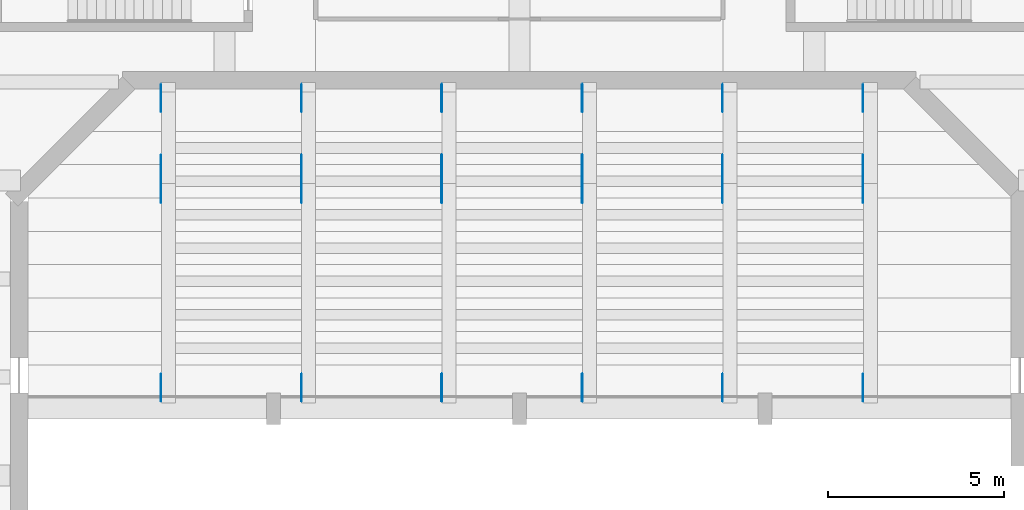
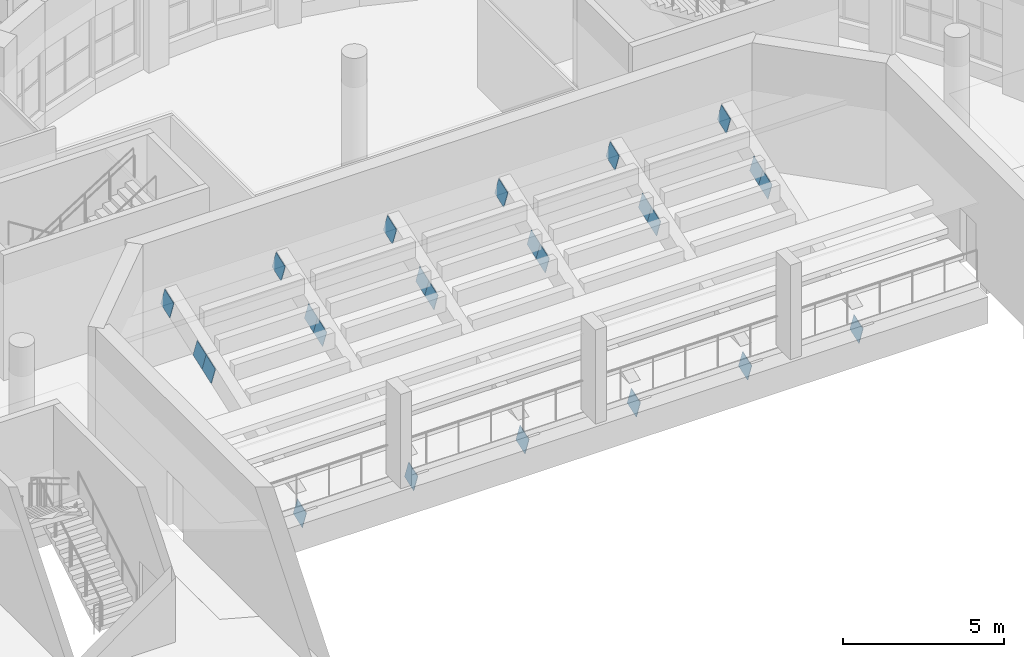
# One storey, part 48 of 79: 24 discrete accessories.
"""IFC4 building model written with IfcOpenShell, lengths in metres."""

import ifcopenshell
import ifcopenshell.guid

model = None  # the IFC model being written
_history = None  # IfcOwnerHistory: only IFC2X3 demands one
_inside = {}  # id of a spatial element -> (the spatial element, [elements in it])
_under = {}  # id of a project, library or spatial element -> (it, [spatial elements below it])
_declared = {}  # id of a project -> (the project, [libraries it declares])
_typed = {}  # id of a type object -> (the type object, [elements of that type])
_made_of = {}  # id of a material, layer set ... -> (it, [elements and type objects made of it])


def new_model(schema):
    """Start an empty IFC model of exactly this schema.

    Asked for "IFC4X3", IfcOpenShell would pick the latest addendum, in which some entities
    have other attributes; the version numbers below select the first issue.
    IFC2X3 requires an IfcOwnerHistory on every rooted entity: one is made here for all.
    """
    global model, _history
    if schema == "IFC4X3":
        model = ifcopenshell.file(schema_version=(4, 3, 0, 0))
    else:
        model = ifcopenshell.file(schema=schema)
    _inside.clear()
    _under.clear()
    _declared.clear()
    _typed.clear()
    _made_of.clear()
    _history = None
    if model.schema == "IFC2X3":
        org = make("IfcOrganization", Name="unknown")
        user = make(
            "IfcPersonAndOrganization",
            ThePerson=make("IfcPerson", FamilyName="unknown"),
            TheOrganization=org,
        )
        app = make(
            "IfcApplication",
            ApplicationDeveloper=org,
            Version="unknown",
            ApplicationFullName="unknown",
            ApplicationIdentifier="unknown",
        )
        _history = make(
            "IfcOwnerHistory",
            OwningUser=user,
            OwningApplication=app,
            ChangeAction="ADDED",
            CreationDate=0,
        )
    return model


def make(cls, **values):
    """One entity of the class cls with the attributes given. An attribute that is None is left unset."""
    return model.create_entity(
        cls, **{name: value for name, value in values.items() if value is not None}
    )


def rooted(cls, **values):
    """An entity with a GlobalId (a new one), such as an element, a storey or a relation."""
    return make(cls, GlobalId=ifcopenshell.guid.new(), OwnerHistory=_history, **values)


def si_unit(unit_type, name, prefix=None):
    """IfcSIUnit, for example si_unit("LENGTHUNIT", "METRE", prefix="MILLI")."""
    return make("IfcSIUnit", UnitType=unit_type, Prefix=prefix, Name=name)


def assignment(units):
    """IfcUnitAssignment: the units of a project."""
    return None if units is None else make("IfcUnitAssignment", Units=units)


def point(xyz):
    """IfcCartesianPoint."""
    return None if xyz is None else make("IfcCartesianPoint", Coordinates=xyz)


def direction(xyz):
    """IfcDirection."""
    return None if xyz is None else make("IfcDirection", DirectionRatios=xyz)


def frame(location, z_axis=None, x_axis=None):
    """IfcAxis2Placement3D, a coordinate frame: its origin and axes. An axis left out is left unset."""
    return make(
        "IfcAxis2Placement3D",
        Location=point(location),
        Axis=direction(z_axis),
        RefDirection=direction(x_axis),
    )


def frame_2d(location, x_axis=None):
    """IfcAxis2Placement2D, a coordinate frame in the plane: its origin and x axis."""
    return make(
        "IfcAxis2Placement2D", Location=point(location), RefDirection=direction(x_axis)
    )


def origin():
    """The frame at (0, 0, 0) with its axes left unset."""
    return frame((0.0, 0.0, 0.0))


def origin_2d():
    """The frame at (0, 0) in the plane with its x axis left unset."""
    return frame_2d((0.0, 0.0))


def place(relative_to, where):
    """IfcLocalPlacement: puts the frame where relative to a parent placement (None: the world)."""
    return make(
        "IfcLocalPlacement", PlacementRelTo=relative_to, RelativePlacement=where
    )


def context(
    kind, dimensions, precision=None, world=None, true_north=None, identifier=None
):
    """IfcGeometricRepresentationContext, for example the 3D "Model" context."""
    return make(
        "IfcGeometricRepresentationContext",
        ContextIdentifier=identifier,
        ContextType=kind,
        CoordinateSpaceDimension=dimensions,
        Precision=precision,
        WorldCoordinateSystem=world,
        TrueNorth=true_north,
    )


def subcontext(parent, identifier, kind, view, scale=None):
    """IfcGeometricRepresentationSubContext, for example "Body" below "Model"."""
    return make(
        "IfcGeometricRepresentationSubContext",
        ContextIdentifier=identifier,
        ContextType=kind,
        ParentContext=parent,
        TargetScale=scale,
        TargetView=view,
    )


def project(units=None, contexts=None):
    """IfcProject with its units and contexts."""
    return rooted(
        "IfcProject",
        Name="project",
        RepresentationContexts=contexts,
        UnitsInContext=assignment(units),
    )


def spatial(cls, under=None, at=None, **own):
    """A site, building, storey or space (cls), placed at a placement, below another one or the project."""
    s = rooted(cls, ObjectPlacement=at, **own)
    if under is not None:
        _under.setdefault(under.id(), (under, []))[1].append(s)
    return s


def profile(cls, at=None, kind="AREA", **sizes):
    """A parametric profile (cls). Its sizes go by their IFC names, for example OverallWidth=200.0."""
    return make(cls, ProfileType=kind, Position=at, **sizes)


def rectangle(**sizes):
    """IfcRectangleProfileDef."""
    return profile("IfcRectangleProfileDef", **sizes)


def extrude(swept, where, along, depth):
    """IfcExtrudedAreaSolid: the profile swept, set in the frame where, extruded along a direction by depth."""
    return make(
        "IfcExtrudedAreaSolid",
        SweptArea=swept,
        Position=where,
        ExtrudedDirection=direction(along),
        Depth=depth,
    )


def shape(context_of_items, identifier, shape_type, items):
    """IfcShapeRepresentation: the items that make up one representation, for example the "Body"."""
    return make(
        "IfcShapeRepresentation",
        ContextOfItems=context_of_items,
        RepresentationIdentifier=identifier,
        RepresentationType=shape_type,
        Items=items,
    )


def material(Name=None, Category=None):
    """IfcMaterial."""
    return make("IfcMaterial", Name=Name, Category=Category)


def material_profile(
    of_material, cross_section, Name=None, Category=None, Priority=None
):
    """IfcMaterialProfile: a cross section and its material."""
    return make(
        "IfcMaterialProfile",
        Name=Name,
        Material=of_material,
        Profile=cross_section,
        Priority=Priority,
        Category=Category,
    )


def profile_set(profiles, Name=None, composite=None):
    """IfcMaterialProfileSet."""
    return make(
        "IfcMaterialProfileSet",
        Name=Name,
        MaterialProfiles=profiles,
        CompositeProfile=composite,
    )


def made_of(thing, what):
    """Note that an element or type object is made of a material, layer set ...; save() writes the relation."""
    if what is not None:
        _made_of.setdefault(what.id(), (what, []))[1].append(thing)
    return thing


def type_object(cls, material=None, **own):
    """A type object (cls), such as IfcWallType, which elements share."""
    return made_of(rooted(cls, **own), material)


def element(
    cls,
    number,
    at=None,
    inside=None,
    cuts=None,
    type_object=None,
    material=None,
    context=None,
    identifier="Body",
    shape_type=None,
    held_by="IfcProductDefinitionShape",
    body=None,
    shapes=None,
    **own,
):
    """One element of the class cls, such as IfcWall. Its Tag is "e" and its number.

    at: its placement. inside: the storey or other place that contains it. cuts: it is an
    opening in that element (IfcRelVoidsElement). A single representation is given by context,
    identifier, shape_type and body (its items); several are given by shapes. held_by: the class
    of the entity that holds the representations. save() writes the other relations.
    """
    e = rooted(cls, Tag="e%d" % number, ObjectPlacement=at, **own)
    if body is not None:
        shapes = [shape(context, identifier, shape_type, body)]
    if shapes is not None:
        e.Representation = make(held_by, Representations=shapes)
    if inside is not None:
        _inside.setdefault(inside.id(), (inside, []))[1].append(e)
    if cuts is not None:
        rooted(
            "IfcRelVoidsElement", RelatingBuildingElement=cuts, RelatedOpeningElement=e
        )
    if type_object is not None:
        _typed.setdefault(type_object.id(), (type_object, []))[1].append(e)
    return made_of(e, material)


def aggregate(whole, parts):
    """IfcRelAggregates: a whole, such as a stair, and the parts it consists of."""
    return rooted("IfcRelAggregates", RelatingObject=whole, RelatedObjects=parts)


def save(model, path):
    """Write the relations noted so far, then the file.

    IfcRelAggregates (storeys below a building ...), IfcRelContainedInSpatialStructure (elements
    in a storey), IfcRelDefinesByType, IfcRelAssociatesMaterial and IfcRelDeclares: one each for
    every whole, place, type object, material and project.
    """
    for whole, parts in _under.values():
        aggregate(whole, parts)
    for where, things in _inside.values():
        rooted(
            "IfcRelContainedInSpatialStructure",
            RelatedElements=things,
            RelatingStructure=where,
        )
    for kind, things in _typed.values():
        rooted("IfcRelDefinesByType", RelatedObjects=things, RelatingType=kind)
    for what, things in _made_of.values():
        rooted("IfcRelAssociatesMaterial", RelatedObjects=things, RelatingMaterial=what)
    for by, libraries in _declared.values():
        rooted("IfcRelDeclares", RelatingContext=by, RelatedDefinitions=libraries)
    model.write(path)


model = new_model("IFC4")

# Units and contexts
model_context = context("Model", 3, precision=1e-05, world=origin(), true_north=direction((0.0, 1.0)))
body_context = subcontext(model_context, "Body", "Model", "MODEL_VIEW")
ifc_project = project(units=[si_unit("LENGTHUNIT", "METRE"), si_unit("AREAUNIT", "SQUARE_METRE"), si_unit("VOLUMEUNIT", "CUBIC_METRE"), si_unit("PLANEANGLEUNIT", "RADIAN"), si_unit("MASSUNIT", "GRAM", prefix="KILO")], contexts=[model_context])

# Site, building, storey
site_placement = place(None, origin())
site = spatial("IfcSite", under=ifc_project, at=site_placement, CompositionType="ELEMENT")
building_placement = place(site_placement, origin())
building = spatial("IfcBuilding", under=site, at=building_placement, Name="Larchfold Concert Hall", CompositionType="ELEMENT")
storey_placement = place(building_placement, frame((0.0, 0.0, 14.39990234375)))
storey = spatial("IfcBuildingStorey", under=building, at=storey_placement, Name="L03", CompositionType="ELEMENT", Elevation=14.39990234375)

# Discrete accessories
ifc_material = material(Name="Steel S355 galvanised bracket", Category="steel")
ifc_material_profile = material_profile(ifc_material, rectangle(XDim=0.02001953125, YDim=0.75, at=origin_2d()))
ifc_profile_set = profile_set([ifc_material_profile], Name="Steel S355 galvanised bracket")
discrete_accessory_type = type_object("IfcDiscreteAccessoryType", Name="Gusset plate 20x750", PredefinedType="BRACKET", material=ifc_profile_set)
for number, where, z_axis, x_axis, name in (
    (1, (32.39013671875, 95.21875, -0.613037109375), (0.0, 0.941105063269, 0.338114270461), (-1.0, 0.0, 0.0), "Gusset plate GP0025"),
    (2, (32.39013671875, 100.88525390625, 1.4248046875), (0.0, 0.940975543621, 0.338474557844), (-1.0, 0.0, 0.0), "Gusset plate GP0026"),
    (3, (32.39013671875, 101.449951171875, 1.6279296875), (0.0, 0.940975543621, 0.338474557844), (-1.0, 0.0, 0.0), "Gusset plate GP0027"),
    (4, (32.39013671875, 103.466552734375, 2.353271484375), (0.0, 0.941105063269, 0.338114270461), (-1.0, 0.0, 0.0), "Gusset plate GP0028"),
    (5, (36.39013671875, 95.21875, -0.613037109375), (0.0, 0.941105063269, 0.338114270461), (-1.0, 0.0, 0.0), "Gusset plate GP0029"),
    (6, (36.39013671875, 100.88525390625, 1.4248046875), (0.0, 0.940975543621, 0.338474557844), (-1.0, 0.0, 0.0), "Gusset plate GP0030"),
    (7, (36.39013671875, 101.449951171875, 1.6279296875), (0.0, 0.940975543621, 0.338474557844), (-1.0, 0.0, 0.0), "Gusset plate GP0031"),
    (8, (36.39013671875, 103.466552734375, 2.353271484375), (0.0, 0.941105063269, 0.338114270461), (-1.0, 0.0, 0.0), "Gusset plate GP0032"),
    (9, (40.39013671875, 95.21875, -0.613037109375), (0.0, 0.941105063269, 0.338114270461), (-1.0, 0.0, 0.0), "Gusset plate GP0033"),
    (10, (40.39013671875, 100.88525390625, 1.4248046875), (0.0, 0.940975543621, 0.338474557844), (-1.0, 0.0, 0.0), "Gusset plate GP0034"),
    (11, (40.39013671875, 101.449951171875, 1.6279296875), (0.0, 0.940975543621, 0.338474557844), (-1.0, 0.0, 0.0), "Gusset plate GP0035"),
    (12, (40.39013671875, 103.466552734375, 2.353271484375), (0.0, 0.941105063269, 0.338114270461), (-1.0, 0.0, 0.0), "Gusset plate GP0036"),
    (13, (44.39013671875, 95.21875, -0.613037109375), (0.0, 0.941105063269, 0.338114270461), (-1.0, 0.0, 0.0), "Gusset plate GP0037"),
    (14, (44.39013671875, 100.88525390625, 1.4248046875), (0.0, 0.940975543621, 0.338474557844), (-1.0, 0.0, 0.0), "Gusset plate GP0038"),
    (15, (44.39013671875, 101.449951171875, 1.6279296875), (0.0, 0.940975543621, 0.338474557844), (-1.0, 0.0, 0.0), "Gusset plate GP0039"),
    (16, (44.39013671875, 103.466552734375, 2.353271484375), (0.0, 0.941105063269, 0.338114270461), (-1.0, 0.0, 0.0), "Gusset plate GP0040"),
    (17, (48.39013671875, 95.21875, -0.613037109375), (0.0, 0.941105063269, 0.338114270461), (-1.0, 0.0, 0.0), "Gusset plate GP0041"),
    (18, (48.39013671875, 100.88525390625, 1.4248046875), (0.0, 0.940975543621, 0.338474557844), (-1.0, 0.0, 0.0), "Gusset plate GP0042"),
    (19, (48.39013671875, 101.449951171875, 1.6279296875), (0.0, 0.940975543621, 0.338474557844), (-1.0, 0.0, 0.0), "Gusset plate GP0043"),
    (20, (48.39013671875, 103.466552734375, 2.353271484375), (0.0, 0.941105063269, 0.338114270461), (-1.0, 0.0, 0.0), "Gusset plate GP0044"),
    (21, (52.39013671875, 95.21875, -0.613037109375), (0.0, 0.941105063269, 0.338114270461), (-1.0, 0.0, 0.0), "Gusset plate GP0045"),
    (22, (52.39013671875, 100.88525390625, 1.4248046875), (0.0, 0.940975543621, 0.338474557844), (-1.0, 0.0, 0.0), "Gusset plate GP0046"),
    (23, (52.39013671875, 101.449951171875, 1.6279296875), (0.0, 0.940975543621, 0.338474557844), (-1.0, 0.0, 0.0), "Gusset plate GP0047"),
    (24, (52.39013671875, 103.466552734375, 2.353271484375), (0.0, 0.941105063269, 0.338114270461), (-1.0, 0.0, 0.0), "Gusset plate GP0048"),
):
    element("IfcDiscreteAccessory", number, at=place(storey_placement, frame(where, z_axis=z_axis, x_axis=x_axis)), inside=storey, type_object=discrete_accessory_type, Name=name, PredefinedType="BRACKET", context=body_context, shape_type="SweptSolid", body=[
        extrude(rectangle(XDim=0.02001953125, YDim=0.75, at=origin_2d()), origin(), (0.0, 0.0, 1.0), 0.60009765625),
    ])

save(model, "model.ifc")
